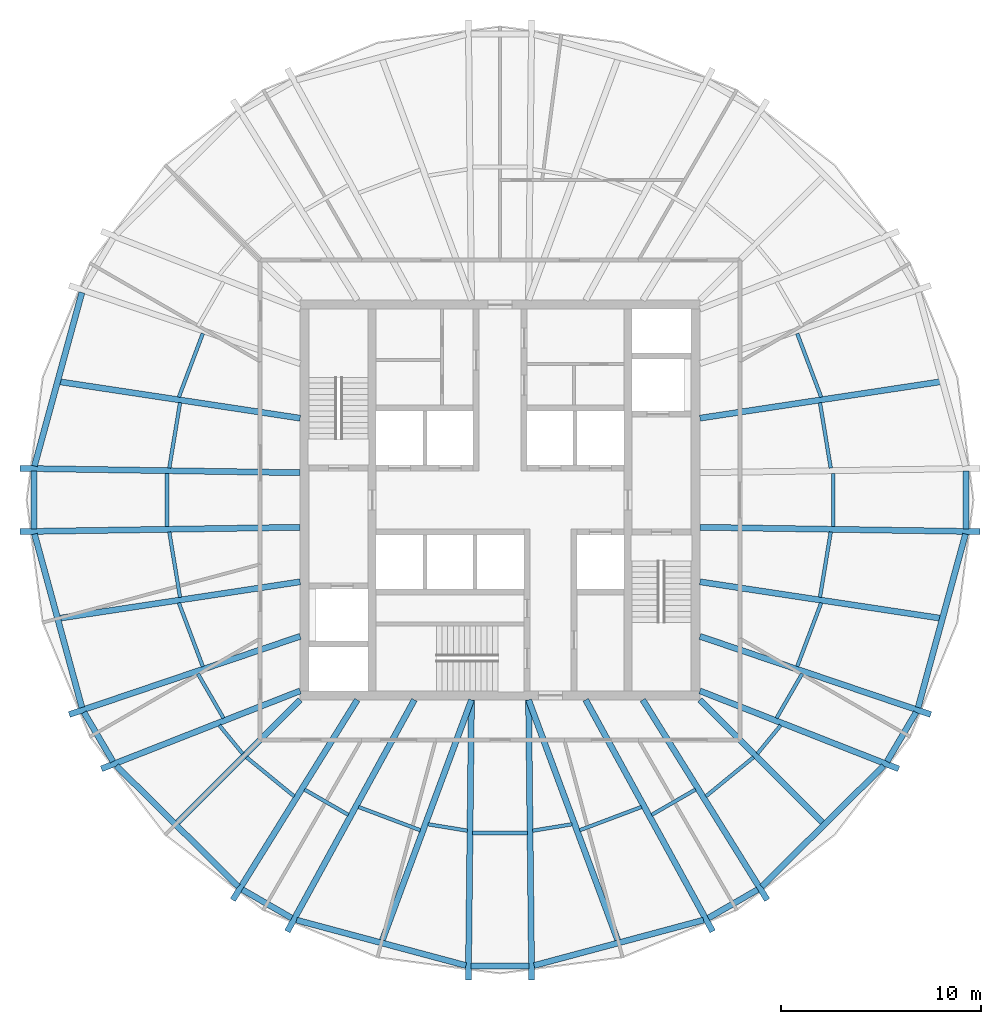
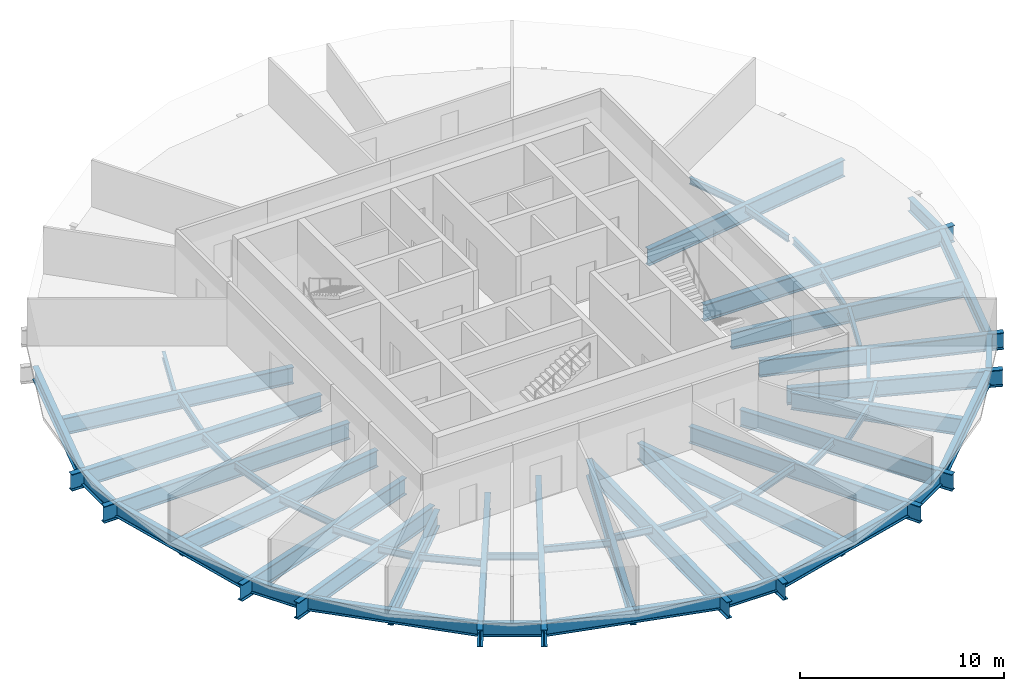
# One storey, part 1 of 6: 58 beams.
"""IFC4 building model written with IfcOpenShell, lengths in metres."""

from ifc_helpers import new_model, si_unit, direction, frame, origin, origin_2d, place, context, subcontext, project, spatial, i_section, extrude, material, material_profile, profile_set, type_object, element, save


model = new_model("IFC4")

# Units and contexts
model_context = context("Model", 3, precision=1e-05, world=origin(), true_north=direction((0.0, 1.0)))
body_context = subcontext(model_context, "Body", "Model", "MODEL_VIEW")
ifc_project = project(units=[si_unit("LENGTHUNIT", "METRE"), si_unit("AREAUNIT", "SQUARE_METRE"), si_unit("VOLUMEUNIT", "CUBIC_METRE"), si_unit("PLANEANGLEUNIT", "RADIAN"), si_unit("MASSUNIT", "GRAM", prefix="KILO")], contexts=[model_context])

# Site, building, storey
site_placement = place(None, origin())
site = spatial("IfcSite", under=ifc_project, at=site_placement, CompositionType="ELEMENT")
building_placement = place(site_placement, origin())
building = spatial("IfcBuilding", under=site, at=building_placement, Name="Golbaran Civic Tower", CompositionType="ELEMENT")
storey_placement = place(building_placement, frame((0.0, 0.0, 187.0)))
storey = spatial("IfcBuildingStorey", under=building, at=storey_placement, Name="L45", CompositionType="ELEMENT", Elevation=187.0)

# Beams
ifc_material = material(Name="Steel S355", Category="steel")
ifc_material_profile_1 = material_profile(ifc_material, i_section(OverallWidth=0.300048828125, OverallDepth=0.800048828125, WebThickness=0.017578125, FlangeThickness=0.032958984375, FilletRadius=0.030029296875, at=origin_2d()), Name="HEB 800")
ifc_profile_set_1 = profile_set([ifc_material_profile_1], Name="Steel S355")
beam_type_1 = type_object("IfcBeamType", Name="EDGE BEAM HEB 800", PredefinedType="BEAM", material=ifc_profile_set_1)
beam_1_placement = place(storey_placement, frame((-20.919189453125, 10.3798828125, -0.60009765625), z_axis=(-0.263503112091, -0.964658545766, 0.0), x_axis=(0.964658545766, -0.263503112091, 0.0)))
element("IfcBeam", 1, at=beam_1_placement, inside=storey, type_object=beam_type_1, Name="Edge beam 153.70 L45", PredefinedType="BEAM", context=body_context, shape_type="SweptSolid", body=[
    extrude(i_section(OverallWidth=0.300048828125, OverallDepth=0.800048828125, WebThickness=0.017578125, FlangeThickness=0.032958984375, FilletRadius=0.030029296875, at=origin_2d()), origin(), (0.0, 0.0, 1.0), 8.997314453125),
])
beam_2_placement = place(storey_placement, frame((-23.325439453125, 1.44091796875, -0.60009765625), z_axis=(0.0, -1.0, 0.0), x_axis=(1.0, 0.0, 0.0)))
element("IfcBeam", 2, at=beam_2_placement, inside=storey, type_object=beam_type_1, Name="Edge beam 176.30 L45", PredefinedType="BEAM", context=body_context, shape_type="SweptSolid", body=[
    extrude(i_section(OverallWidth=0.300048828125, OverallDepth=0.800048828125, WebThickness=0.017578125, FlangeThickness=0.032958984375, FilletRadius=0.030029296875, at=origin_2d()), origin(), (0.0, 0.0, 1.0), 2.8818359375),
])
beam_3_placement = place(storey_placement, frame((-23.2900390625, -1.700439453125, -0.60009765625), z_axis=(0.263503112091, -0.964658545766, 0.0), x_axis=(0.964658545766, 0.263503112091, 0.0)))
element("IfcBeam", 3, at=beam_3_placement, inside=storey, type_object=beam_type_1, Name="Edge beam 183.70 L45", PredefinedType="BEAM", context=body_context, shape_type="SweptSolid", body=[
    extrude(i_section(OverallWidth=0.300048828125, OverallDepth=0.800048828125, WebThickness=0.017578125, FlangeThickness=0.032958984375, FilletRadius=0.030029296875, at=origin_2d()), origin(), (0.0, 0.0, 1.0), 8.997314453125),
])
beam_4_placement = place(storey_placement, frame((-20.8173828125, -10.619873046875, -0.60009765625), z_axis=(0.508067824536, -0.861317064542, 0.0), x_axis=(0.861317064542, 0.508067824536, 0.0)))
element("IfcBeam", 4, at=beam_4_placement, inside=storey, type_object=beam_type_1, Name="Edge beam 206.30 L45", PredefinedType="BEAM", context=body_context, shape_type="SweptSolid", body=[
    extrude(i_section(OverallWidth=0.300048828125, OverallDepth=0.800048828125, WebThickness=0.017578125, FlangeThickness=0.032958984375, FilletRadius=0.030029296875, at=origin_2d()), origin(), (0.0, 0.0, 1.0), 2.860595703125),
])
beam_5_placement = place(storey_placement, frame((-19.196044921875, -13.297119140625, -0.60009765625), z_axis=(0.710598602397, -0.703597630945, 0.0), x_axis=(0.703597630945, 0.710598602397, 0.0)))
element("IfcBeam", 5, at=beam_5_placement, inside=storey, type_object=beam_type_1, Name="Edge beam 213.70 L45", PredefinedType="BEAM", context=body_context, shape_type="SweptSolid", body=[
    extrude(i_section(OverallWidth=0.300048828125, OverallDepth=0.800048828125, WebThickness=0.017578125, FlangeThickness=0.032958984375, FilletRadius=0.030029296875, at=origin_2d()), origin(), (0.0, 0.0, 1.0), 8.57861328125),
])
beam_6_placement = place(storey_placement, frame((-12.892822265625, -19.491943359375, -0.60009765625), z_axis=(0.866187010848, -0.49971998383, 0.0), x_axis=(0.49971998383, 0.866187010848, 0.0)))
element("IfcBeam", 6, at=beam_6_placement, inside=storey, type_object=beam_type_1, Name="Edge beam 236.30 L45", PredefinedType="BEAM", context=body_context, shape_type="SweptSolid", body=[
    extrude(i_section(OverallWidth=0.300048828125, OverallDepth=0.800048828125, WebThickness=0.017578125, FlangeThickness=0.032958984375, FilletRadius=0.030029296875, at=origin_2d()), origin(), (0.0, 0.0, 1.0), 2.852783203125),
])
beam_7_placement = place(storey_placement, frame((-10.18017578125, -21.01708984375, -0.60009765625), z_axis=(0.965852858325, -0.259091211866, 0.0), x_axis=(0.259091211866, 0.965852858325, 0.0)))
element("IfcBeam", 7, at=beam_7_placement, inside=storey, type_object=beam_type_1, Name="Edge beam 243.70 L45", PredefinedType="BEAM", context=body_context, shape_type="SweptSolid", body=[
    extrude(i_section(OverallWidth=0.300048828125, OverallDepth=0.800048828125, WebThickness=0.017578125, FlangeThickness=0.032958984375, FilletRadius=0.030029296875, at=origin_2d()), origin(), (0.0, 0.0, 1.0), 8.773681640625),
])
beam_8_placement = place(storey_placement, frame((-1.446533203125, -23.324951171875, -0.60009765625), z_axis=(1.0, 0.0, 0.0), x_axis=(0.0, 1.0, 0.0)))
element("IfcBeam", 8, at=beam_8_placement, inside=storey, type_object=beam_type_1, Name="Edge beam 266.30 L45", PredefinedType="BEAM", context=body_context, shape_type="SweptSolid", body=[
    extrude(i_section(OverallWidth=0.300048828125, OverallDepth=0.800048828125, WebThickness=0.017578125, FlangeThickness=0.032958984375, FilletRadius=0.030029296875, at=origin_2d()), origin(), (0.0, 0.0, 1.0), 2.89306640625),
])
beam_9_placement = place(storey_placement, frame((1.7060546875, -23.290283203125, -0.60009765625), z_axis=(0.965852858325, 0.259091211866, 0.0), x_axis=(-0.259091211866, 0.965852858325, 0.0)))
element("IfcBeam", 9, at=beam_9_placement, inside=storey, type_object=beam_type_1, Name="Edge beam 273.70 L45", PredefinedType="BEAM", context=body_context, shape_type="SweptSolid", body=[
    extrude(i_section(OverallWidth=0.300048828125, OverallDepth=0.800048828125, WebThickness=0.017578125, FlangeThickness=0.032958984375, FilletRadius=0.030029296875, at=origin_2d()), origin(), (0.0, 0.0, 1.0), 8.773681640625),
])
beam_10_placement = place(storey_placement, frame((10.421875, -20.91748046875, -0.60009765625), z_axis=(0.866187010848, 0.49971998383, 0.0), x_axis=(-0.49971998383, 0.866187010848, 0.0)))
element("IfcBeam", 10, at=beam_10_placement, inside=storey, type_object=beam_type_1, Name="Edge beam 296.30 L45", PredefinedType="BEAM", context=body_context, shape_type="SweptSolid", body=[
    extrude(i_section(OverallWidth=0.300048828125, OverallDepth=0.800048828125, WebThickness=0.017578125, FlangeThickness=0.032958984375, FilletRadius=0.030029296875, at=origin_2d()), origin(), (0.0, 0.0, 1.0), 2.852783203125),
])
beam_11_placement = place(storey_placement, frame((13.10009765625, -19.3330078125, -0.60009765625), z_axis=(0.710598602397, 0.703597630945, 0.0), x_axis=(-0.703597630945, 0.710598602397, 0.0)))
element("IfcBeam", 11, at=beam_11_placement, inside=storey, type_object=beam_type_1, Name="Edge beam 303.70 L45", PredefinedType="BEAM", context=body_context, shape_type="SweptSolid", body=[
    extrude(i_section(OverallWidth=0.300048828125, OverallDepth=0.800048828125, WebThickness=0.017578125, FlangeThickness=0.032958984375, FilletRadius=0.030029296875, at=origin_2d()), origin(), (0.0, 0.0, 1.0), 8.57861328125),
])
beam_12_placement = place(storey_placement, frame((19.364013671875, -13.083740234375, -0.60009765625), z_axis=(0.508067824536, 0.861317064542, 0.0), x_axis=(-0.861317064542, 0.508067824536, 0.0)))
element("IfcBeam", 12, at=beam_12_placement, inside=storey, type_object=beam_type_1, Name="Edge beam 326.30 L45", PredefinedType="BEAM", context=body_context, shape_type="SweptSolid", body=[
    extrude(i_section(OverallWidth=0.300048828125, OverallDepth=0.800048828125, WebThickness=0.017578125, FlangeThickness=0.032958984375, FilletRadius=0.030029296875, at=origin_2d()), origin(), (0.0, 0.0, 1.0), 2.860595703125),
])
beam_13_placement = place(storey_placement, frame((20.919189453125, -10.3798828125, -0.60009765625), z_axis=(0.263503112091, 0.964658545766, 0.0), x_axis=(-0.964658545766, 0.263503112091, 0.0)))
element("IfcBeam", 13, at=beam_13_placement, inside=storey, type_object=beam_type_1, Name="Edge beam 333.70 L45", PredefinedType="BEAM", context=body_context, shape_type="SweptSolid", body=[
    extrude(i_section(OverallWidth=0.300048828125, OverallDepth=0.800048828125, WebThickness=0.017578125, FlangeThickness=0.032958984375, FilletRadius=0.030029296875, at=origin_2d()), origin(), (0.0, 0.0, 1.0), 8.997314453125),
])
beam_14_placement = place(storey_placement, frame((23.325439453125, -1.44091796875, -0.60009765625), z_axis=(0.0, 1.0, 0.0), x_axis=(-1.0, 0.0, 0.0)))
element("IfcBeam", 14, at=beam_14_placement, inside=storey, type_object=beam_type_1, Name="Edge beam 356.30 L45", PredefinedType="BEAM", context=body_context, shape_type="SweptSolid", body=[
    extrude(i_section(OverallWidth=0.300048828125, OverallDepth=0.800048828125, WebThickness=0.017578125, FlangeThickness=0.032958984375, FilletRadius=0.030029296875, at=origin_2d()), origin(), (0.0, 0.0, 1.0), 2.8818359375),
])
ifc_material_profile_2 = material_profile(ifc_material, i_section(OverallWidth=0.179931640625, OverallDepth=0.39990234375, WebThickness=0.008544921875, FlangeThickness=0.013427734375, FilletRadius=0.02099609375, at=origin_2d()), Name="IPE 400")
ifc_profile_set_2 = profile_set([ifc_material_profile_2], Name="Steel S355")
beam_type_2 = type_object("IfcBeamType", Name="FLOOR INFILL BEAM IPE 400", PredefinedType="BEAM", material=ifc_profile_set_2)
beam_15_placement = place(storey_placement, frame((16.547119140625, 1.595947265625, -0.39990234375), z_axis=(-0.162538162634, 0.986702257871, 0.0), x_axis=(-0.986702257871, -0.162538162634, 0.0)))
element("IfcBeam", 15, at=beam_15_placement, inside=storey, type_object=beam_type_2, Name="Infill beam 9.35 L45", PredefinedType="BEAM", context=body_context, shape_type="SweptSolid", body=[
    extrude(i_section(OverallWidth=0.179931640625, OverallDepth=0.39990234375, WebThickness=0.008544921875, FlangeThickness=0.013427734375, FilletRadius=0.02099609375, at=origin_2d()), origin(), (0.0, 0.0, 1.0), 3.319580078125),
])
for number, where, z_axis, x_axis, name in (
    (16, (16.069580078125, 5.143798828125, -0.39990234375), (-0.352622874883, 0.935765519833, 0.0), (-0.935765519833, -0.352622874883, 0.0), "Infill beam 20.65 L45"),
    (17, (-14.8681640625, 8.33203125, -0.39990234375), (-0.352622874883, -0.935765519833, 0.0), (0.935765519833, -0.352622874883, 0.0), "Infill beam 159.35 L45"),
):
    element("IfcBeam", number, at=place(storey_placement, frame(where, z_axis=z_axis, x_axis=x_axis)), inside=storey, type_object=beam_type_2, Name=name, PredefinedType="BEAM", context=body_context, shape_type="SweptSolid", body=[
        extrude(i_section(OverallWidth=0.179931640625, OverallDepth=0.39990234375, WebThickness=0.008544921875, FlangeThickness=0.013427734375, FilletRadius=0.02099609375, at=origin_2d()), origin(), (0.0, 0.0, 1.0), 3.406982421875),
    ])
beam_16_placement = place(storey_placement, frame((-16.007568359375, 4.871337890625, -0.39990234375), z_axis=(-0.162538162634, -0.986702257871, 0.0), x_axis=(0.986702257871, -0.162538162634, 0.0)))
element("IfcBeam", 18, at=beam_16_placement, inside=storey, type_object=beam_type_2, Name="Infill beam 170.65 L45", PredefinedType="BEAM", context=body_context, shape_type="SweptSolid", body=[
    extrude(i_section(OverallWidth=0.179931640625, OverallDepth=0.39990234375, WebThickness=0.008544921875, FlangeThickness=0.013427734375, FilletRadius=0.02099609375, at=origin_2d()), origin(), (0.0, 0.0, 1.0), 3.319580078125),
])
beam_17_placement = place(storey_placement, frame((-16.662841796875, 1.337646484375, -0.39990234375), z_axis=(0.0, -1.0, 0.0), x_axis=(1.0, 0.0, 0.0)))
element("IfcBeam", 19, at=beam_17_placement, inside=storey, type_object=beam_type_2, Name="Infill beam 180.00 L45", PredefinedType="BEAM", context=body_context, shape_type="SweptSolid", body=[
    extrude(i_section(OverallWidth=0.179931640625, OverallDepth=0.39990234375, WebThickness=0.008544921875, FlangeThickness=0.013427734375, FilletRadius=0.02099609375, at=origin_2d()), origin(), (0.0, 0.0, 1.0), 2.67529296875),
])
beam_18_placement = place(storey_placement, frame((-16.547119140625, -1.595947265625, -0.39990234375), z_axis=(0.162538162634, -0.986702257871, 0.0), x_axis=(0.986702257871, 0.162538162634, 0.0)))
element("IfcBeam", 20, at=beam_18_placement, inside=storey, type_object=beam_type_2, Name="Infill beam 189.35 L45", PredefinedType="BEAM", context=body_context, shape_type="SweptSolid", body=[
    extrude(i_section(OverallWidth=0.179931640625, OverallDepth=0.39990234375, WebThickness=0.008544921875, FlangeThickness=0.013427734375, FilletRadius=0.02099609375, at=origin_2d()), origin(), (0.0, 0.0, 1.0), 3.319580078125),
])
beam_19_placement = place(storey_placement, frame((-16.069580078125, -5.143798828125, -0.39990234375), z_axis=(0.352622874883, -0.935765519833, 0.0), x_axis=(0.935765519833, 0.352622874883, 0.0)))
element("IfcBeam", 21, at=beam_19_placement, inside=storey, type_object=beam_type_2, Name="Infill beam 200.65 L45", PredefinedType="BEAM", context=body_context, shape_type="SweptSolid", body=[
    extrude(i_section(OverallWidth=0.179931640625, OverallDepth=0.39990234375, WebThickness=0.008544921875, FlangeThickness=0.013427734375, FilletRadius=0.02099609375, at=origin_2d()), origin(), (0.0, 0.0, 1.0), 3.406982421875),
])
beam_20_placement = place(storey_placement, frame((-15.116943359375, -8.690673828125, -0.39990234375), z_axis=(0.50000507078, -0.866022476149, 0.0), x_axis=(0.866022476149, 0.50000507078, 0.0)))
element("IfcBeam", 22, at=beam_20_placement, inside=storey, type_object=beam_type_2, Name="Infill beam 210.00 L45", PredefinedType="BEAM", context=body_context, shape_type="SweptSolid", body=[
    extrude(i_section(OverallWidth=0.179931640625, OverallDepth=0.39990234375, WebThickness=0.008544921875, FlangeThickness=0.013427734375, FilletRadius=0.02099609375, at=origin_2d()), origin(), (0.0, 0.0, 1.0), 2.5673828125),
])
beam_21_placement = place(storey_placement, frame((-14.039794921875, -11.2744140625, -0.39990234375), z_axis=(0.634063671449, -0.773280841964, 0.0), x_axis=(0.773280841964, 0.634063671449, 0.0)))
element("IfcBeam", 23, at=beam_21_placement, inside=storey, type_object=beam_type_2, Name="Infill beam 219.35 L45", PredefinedType="BEAM", context=body_context, shape_type="SweptSolid", body=[
    extrude(i_section(OverallWidth=0.179931640625, OverallDepth=0.39990234375, WebThickness=0.008544921875, FlangeThickness=0.013427734375, FilletRadius=0.02099609375, at=origin_2d()), origin(), (0.0, 0.0, 1.0), 1.834228515625),
])
beam_22_placement = place(storey_placement, frame((-12.684814453125, -12.86865234375, -0.39990234375), z_axis=(0.773259260858, -0.634089990062, 0.0), x_axis=(0.634089990062, 0.773259260858, 0.0)))
element("IfcBeam", 24, at=beam_22_placement, inside=storey, type_object=beam_type_2, Name="Infill beam 230.65 L45", PredefinedType="BEAM", context=body_context, shape_type="SweptSolid", body=[
    extrude(i_section(OverallWidth=0.179931640625, OverallDepth=0.39990234375, WebThickness=0.008544921875, FlangeThickness=0.013427734375, FilletRadius=0.02099609375, at=origin_2d()), origin(), (0.0, 0.0, 1.0), 3.08740234375),
])
beam_23_placement = place(storey_placement, frame((-9.780517578125, -14.4873046875, -0.39990234375), z_axis=(0.865995992199, -0.5000509389, 0.0), x_axis=(0.5000509389, 0.865995992199, 0.0)))
element("IfcBeam", 25, at=beam_23_placement, inside=storey, type_object=beam_type_2, Name="Infill beam 240.00 L45", PredefinedType="BEAM", context=body_context, shape_type="SweptSolid", body=[
    extrude(i_section(OverallWidth=0.179931640625, OverallDepth=0.39990234375, WebThickness=0.008544921875, FlangeThickness=0.013427734375, FilletRadius=0.02099609375, at=origin_2d()), origin(), (0.0, 0.0, 1.0), 2.530517578125),
])
beam_24_placement = place(storey_placement, frame((-7.076416015625, -15.358642578125, -0.39990234375), z_axis=(0.935778084357, -0.352589530244, 0.0), x_axis=(0.352589530244, 0.935778084357, 0.0)))
element("IfcBeam", 26, at=beam_24_placement, inside=storey, type_object=beam_type_2, Name="Infill beam 249.35 L45", PredefinedType="BEAM", context=body_context, shape_type="SweptSolid", body=[
    extrude(i_section(OverallWidth=0.179931640625, OverallDepth=0.39990234375, WebThickness=0.008544921875, FlangeThickness=0.013427734375, FilletRadius=0.02099609375, at=origin_2d()), origin(), (0.0, 0.0, 1.0), 3.30224609375),
])
beam_25_placement = place(storey_placement, frame((-3.597900390625, -16.22314453125, -0.39990234375), z_axis=(0.986719727793, -0.16243207437, 0.0), x_axis=(0.16243207437, 0.986719727793, 0.0)))
element("IfcBeam", 27, at=beam_25_placement, inside=storey, type_object=beam_type_2, Name="Infill beam 260.65 L45", PredefinedType="BEAM", context=body_context, shape_type="SweptSolid", body=[
    extrude(i_section(OverallWidth=0.179931640625, OverallDepth=0.39990234375, WebThickness=0.008544921875, FlangeThickness=0.013427734375, FilletRadius=0.02099609375, at=origin_2d()), origin(), (0.0, 0.0, 1.0), 1.992919921875),
])
beam_26_placement = place(storey_placement, frame((-1.37255859375, -16.66259765625, -0.39990234375), z_axis=(1.0, 0.0, 0.0), x_axis=(0.0, 1.0, 0.0)))
element("IfcBeam", 28, at=beam_26_placement, inside=storey, type_object=beam_type_2, Name="Infill beam 270.00 L45", PredefinedType="BEAM", context=body_context, shape_type="SweptSolid", body=[
    extrude(i_section(OverallWidth=0.179931640625, OverallDepth=0.39990234375, WebThickness=0.008544921875, FlangeThickness=0.013427734375, FilletRadius=0.02099609375, at=origin_2d()), origin(), (0.0, 0.0, 1.0), 2.7451171875),
])
beam_27_placement = place(storey_placement, frame((1.63134765625, -16.546875, -0.39990234375), z_axis=(0.986719727793, 0.16243207437, 0.0), x_axis=(-0.16243207437, 0.986719727793, 0.0)))
element("IfcBeam", 29, at=beam_27_placement, inside=storey, type_object=beam_type_2, Name="Infill beam 279.35 L45", PredefinedType="BEAM", context=body_context, shape_type="SweptSolid", body=[
    extrude(i_section(OverallWidth=0.179931640625, OverallDepth=0.39990234375, WebThickness=0.008544921875, FlangeThickness=0.013427734375, FilletRadius=0.02099609375, at=origin_2d()), origin(), (0.0, 0.0, 1.0), 1.992919921875),
])
beam_28_placement = place(storey_placement, frame((3.986328125, -16.52294921875, -0.39990234375), z_axis=(0.935778084357, 0.352589530244, 0.0), x_axis=(-0.352589530244, 0.935778084357, 0.0)))
element("IfcBeam", 30, at=beam_28_placement, inside=storey, type_object=beam_type_2, Name="Infill beam 290.65 L45", PredefinedType="BEAM", context=body_context, shape_type="SweptSolid", body=[
    extrude(i_section(OverallWidth=0.179931640625, OverallDepth=0.39990234375, WebThickness=0.008544921875, FlangeThickness=0.013427734375, FilletRadius=0.02099609375, at=origin_2d()), origin(), (0.0, 0.0, 1.0), 3.30224609375),
])
beam_29_placement = place(storey_placement, frame((7.589111328125, -15.752685546875, -0.39990234375), z_axis=(0.865995992199, 0.5000509389, 0.0), x_axis=(-0.5000509389, 0.865995992199, 0.0)))
element("IfcBeam", 31, at=beam_29_placement, inside=storey, type_object=beam_type_2, Name="Infill beam 300.00 L45", PredefinedType="BEAM", context=body_context, shape_type="SweptSolid", body=[
    extrude(i_section(OverallWidth=0.179931640625, OverallDepth=0.39990234375, WebThickness=0.008544921875, FlangeThickness=0.013427734375, FilletRadius=0.02099609375, at=origin_2d()), origin(), (0.0, 0.0, 1.0), 2.530517578125),
])
beam_30_placement = place(storey_placement, frame((10.29736328125, -14.826416015625, -0.39990234375), z_axis=(0.773259260858, 0.634089990062, 0.0), x_axis=(-0.634089990062, 0.773259260858, 0.0)))
element("IfcBeam", 32, at=beam_30_placement, inside=storey, type_object=beam_type_2, Name="Infill beam 309.35 L45", PredefinedType="BEAM", context=body_context, shape_type="SweptSolid", body=[
    extrude(i_section(OverallWidth=0.179931640625, OverallDepth=0.39990234375, WebThickness=0.008544921875, FlangeThickness=0.013427734375, FilletRadius=0.02099609375, at=origin_2d()), origin(), (0.0, 0.0, 1.0), 3.08740234375),
])
beam_31_placement = place(storey_placement, frame((12.876708984375, -12.69287109375, -0.39990234375), z_axis=(0.634063671449, 0.773280841964, 0.0), x_axis=(-0.773280841964, 0.634063671449, 0.0)))
element("IfcBeam", 33, at=beam_31_placement, inside=storey, type_object=beam_type_2, Name="Infill beam 320.65 L45", PredefinedType="BEAM", context=body_context, shape_type="SweptSolid", body=[
    extrude(i_section(OverallWidth=0.179931640625, OverallDepth=0.39990234375, WebThickness=0.008544921875, FlangeThickness=0.013427734375, FilletRadius=0.02099609375, at=origin_2d()), origin(), (0.0, 0.0, 1.0), 1.834228515625),
])
beam_32_placement = place(storey_placement, frame((13.833251953125, -10.9140625, -0.39990234375), z_axis=(0.50000507078, 0.866022476149, 0.0), x_axis=(-0.866022476149, 0.50000507078, 0.0)))
element("IfcBeam", 34, at=beam_32_placement, inside=storey, type_object=beam_type_2, Name="Infill beam 330.00 L45", PredefinedType="BEAM", context=body_context, shape_type="SweptSolid", body=[
    extrude(i_section(OverallWidth=0.179931640625, OverallDepth=0.39990234375, WebThickness=0.008544921875, FlangeThickness=0.013427734375, FilletRadius=0.02099609375, at=origin_2d()), origin(), (0.0, 0.0, 1.0), 2.5673828125),
])
beam_33_placement = place(storey_placement, frame((14.8681640625, -8.33203125, -0.39990234375), z_axis=(0.352622874883, 0.935765519833, 0.0), x_axis=(-0.935765519833, 0.352622874883, 0.0)))
element("IfcBeam", 35, at=beam_33_placement, inside=storey, type_object=beam_type_2, Name="Infill beam 339.35 L45", PredefinedType="BEAM", context=body_context, shape_type="SweptSolid", body=[
    extrude(i_section(OverallWidth=0.179931640625, OverallDepth=0.39990234375, WebThickness=0.008544921875, FlangeThickness=0.013427734375, FilletRadius=0.02099609375, at=origin_2d()), origin(), (0.0, 0.0, 1.0), 3.406982421875),
])
beam_34_placement = place(storey_placement, frame((16.007568359375, -4.871337890625, -0.39990234375), z_axis=(0.162538162634, 0.986702257871, 0.0), x_axis=(-0.986702257871, 0.162538162634, 0.0)))
element("IfcBeam", 36, at=beam_34_placement, inside=storey, type_object=beam_type_2, Name="Infill beam 350.65 L45", PredefinedType="BEAM", context=body_context, shape_type="SweptSolid", body=[
    extrude(i_section(OverallWidth=0.179931640625, OverallDepth=0.39990234375, WebThickness=0.008544921875, FlangeThickness=0.013427734375, FilletRadius=0.02099609375, at=origin_2d()), origin(), (0.0, 0.0, 1.0), 3.319580078125),
])
beam_35_placement = place(storey_placement, frame((16.662841796875, -1.337646484375, -0.39990234375), z_axis=(0.0, 1.0, 0.0), x_axis=(-1.0, 0.0, 0.0)))
element("IfcBeam", 37, at=beam_35_placement, inside=storey, type_object=beam_type_2, Name="Infill beam 0.00 L45", PredefinedType="BEAM", context=body_context, shape_type="SweptSolid", body=[
    extrude(i_section(OverallWidth=0.179931640625, OverallDepth=0.39990234375, WebThickness=0.008544921875, FlangeThickness=0.013427734375, FilletRadius=0.02099609375, at=origin_2d()), origin(), (0.0, 0.0, 1.0), 2.67529296875),
])
ifc_material_profile_3 = material_profile(ifc_material, i_section(OverallWidth=0.300048828125, OverallDepth=1.0, WebThickness=0.01904296875, FlangeThickness=0.035888671875, FilletRadius=0.030029296875, at=origin_2d()), Name="HEB 1000")
ifc_profile_set_3 = profile_set([ifc_material_profile_3], Name="Steel S355")
beam_type_3 = type_object("IfcBeamType", Name="RADIAL FLOOR BEAM HEB 1000", PredefinedType="BEAM", material=ifc_profile_set_3)
for number, where, z_axis, x_axis, name in (
    (38, (-10.0, 1.3642578125, -0.7099609375), (-0.999879545466, 0.01552077831, 0.0), (-0.01552077831, -0.999879545466, 0.0), "Radial beam 176.30 L45"),
    (39, (-10.0, -1.3642578125, -0.7099609375), (-0.999879545466, -0.01552077831, 0.0), (0.01552077831, -0.999879545466, 0.0), "Radial beam 183.70 L45"),
):
    element("IfcBeam", number, at=place(storey_placement, frame(where, z_axis=z_axis, x_axis=x_axis)), inside=storey, type_object=beam_type_3, Name=name, PredefinedType="BEAM", context=body_context, shape_type="SweptSolid", body=[
        extrude(i_section(OverallWidth=0.300048828125, OverallDepth=1.0, WebThickness=0.01904296875, FlangeThickness=0.035888671875, FilletRadius=0.030029296875, at=origin_2d()), origin(), (0.0, 0.0, 1.0), 14.015380859375),
    ])
beam_36_placement = place(storey_placement, frame((-10.0, -6.821533203125, -0.7099609375), z_axis=(-0.947219990902, -0.32058429287, 0.0), x_axis=(0.32058429287, -0.947219990902, 0.0)))
element("IfcBeam", 40, at=beam_36_placement, inside=storey, type_object=beam_type_3, Name="Radial beam 206.30 L45", PredefinedType="BEAM", context=body_context, shape_type="SweptSolid", body=[
    extrude(i_section(OverallWidth=0.300048828125, OverallDepth=1.0, WebThickness=0.01904296875, FlangeThickness=0.035888671875, FilletRadius=0.030029296875, at=origin_2d()), origin(), (0.0, 0.0, 1.0), 12.1962890625),
])
beam_37_placement = place(storey_placement, frame((-10.0, -9.550048828125, -0.7099609375), z_axis=(-0.930935568515, -0.365183470701, 0.0), x_axis=(0.365183470701, -0.930935568515, 0.0)))
element("IfcBeam", 41, at=beam_37_placement, inside=storey, type_object=beam_type_3, Name="Radial beam 213.70 L45", PredefinedType="BEAM", context=body_context, shape_type="SweptSolid", body=[
    extrude(i_section(OverallWidth=0.300048828125, OverallDepth=1.0, WebThickness=0.01904296875, FlangeThickness=0.035888671875, FilletRadius=0.030029296875, at=origin_2d()), origin(), (0.0, 0.0, 1.0), 10.681396484375),
])
beam_38_placement = place(storey_placement, frame((-7.142822265625, -10.0, -0.7099609375), z_axis=(-0.52810648102, -0.8491781584, 0.0), x_axis=(0.8491781584, -0.52810648102, 0.0)))
element("IfcBeam", 42, at=beam_38_placement, inside=storey, type_object=beam_type_3, Name="Radial beam 236.30 L45", PredefinedType="BEAM", context=body_context, shape_type="SweptSolid", body=[
    extrude(i_section(OverallWidth=0.300048828125, OverallDepth=1.0, WebThickness=0.01904296875, FlangeThickness=0.035888671875, FilletRadius=0.030029296875, at=origin_2d()), origin(), (0.0, 0.0, 1.0), 11.789794921875),
])
beam_39_placement = place(storey_placement, frame((-4.28564453125, -10.0, -0.7099609375), z_axis=(-0.480899964236, -0.876775469774, 0.0), x_axis=(0.876775469774, -0.480899964236, 0.0)))
element("IfcBeam", 43, at=beam_39_placement, inside=storey, type_object=beam_type_3, Name="Radial beam 243.70 L45", PredefinedType="BEAM", context=body_context, shape_type="SweptSolid", body=[
    extrude(i_section(OverallWidth=0.300048828125, OverallDepth=1.0, WebThickness=0.01904296875, FlangeThickness=0.035888671875, FilletRadius=0.030029296875, at=origin_2d()), origin(), (0.0, 0.0, 1.0), 13.21435546875),
])
for number, where, z_axis, x_axis, name in (
    (44, (-1.428466796875, -10.0, -0.7099609375), (-0.011114683277, -0.99993823, 0.0), (0.99993823, -0.011114683277, 0.0), "Radial beam 266.30 L45"),
    (45, (1.428466796875, -10.0, -0.7099609375), (0.011114683277, -0.99993823, 0.0), (0.99993823, 0.011114683277, 0.0), "Radial beam 273.70 L45"),
):
    element("IfcBeam", number, at=place(storey_placement, frame(where, z_axis=z_axis, x_axis=x_axis)), inside=storey, type_object=beam_type_3, Name=name, PredefinedType="BEAM", context=body_context, shape_type="SweptSolid", body=[
        extrude(i_section(OverallWidth=0.300048828125, OverallDepth=1.0, WebThickness=0.01904296875, FlangeThickness=0.035888671875, FilletRadius=0.030029296875, at=origin_2d()), origin(), (0.0, 0.0, 1.0), 14.01416015625),
    ])
beam_40_placement = place(storey_placement, frame((4.28564453125, -10.0, -0.7099609375), z_axis=(0.480899964236, -0.876775469774, 0.0), x_axis=(0.876775469774, 0.480899964236, 0.0)))
element("IfcBeam", 46, at=beam_40_placement, inside=storey, type_object=beam_type_3, Name="Radial beam 296.30 L45", PredefinedType="BEAM", context=body_context, shape_type="SweptSolid", body=[
    extrude(i_section(OverallWidth=0.300048828125, OverallDepth=1.0, WebThickness=0.01904296875, FlangeThickness=0.035888671875, FilletRadius=0.030029296875, at=origin_2d()), origin(), (0.0, 0.0, 1.0), 13.21435546875),
])
beam_41_placement = place(storey_placement, frame((7.142822265625, -10.0, -0.7099609375), z_axis=(0.52810648102, -0.8491781584, 0.0), x_axis=(0.8491781584, 0.52810648102, 0.0)))
element("IfcBeam", 47, at=beam_41_placement, inside=storey, type_object=beam_type_3, Name="Radial beam 303.70 L45", PredefinedType="BEAM", context=body_context, shape_type="SweptSolid", body=[
    extrude(i_section(OverallWidth=0.300048828125, OverallDepth=1.0, WebThickness=0.01904296875, FlangeThickness=0.035888671875, FilletRadius=0.030029296875, at=origin_2d()), origin(), (0.0, 0.0, 1.0), 11.789794921875),
])
beam_42_placement = place(storey_placement, frame((10.0, -9.550048828125, -0.7099609375), z_axis=(0.930935568515, -0.365183470701, 0.0), x_axis=(0.365183470701, 0.930935568515, 0.0)))
element("IfcBeam", 48, at=beam_42_placement, inside=storey, type_object=beam_type_3, Name="Radial beam 326.30 L45", PredefinedType="BEAM", context=body_context, shape_type="SweptSolid", body=[
    extrude(i_section(OverallWidth=0.300048828125, OverallDepth=1.0, WebThickness=0.01904296875, FlangeThickness=0.035888671875, FilletRadius=0.030029296875, at=origin_2d()), origin(), (0.0, 0.0, 1.0), 10.681396484375),
])
beam_43_placement = place(storey_placement, frame((10.0, -6.821533203125, -0.7099609375), z_axis=(0.947219990902, -0.32058429287, 0.0), x_axis=(0.32058429287, 0.947219990902, 0.0)))
element("IfcBeam", 49, at=beam_43_placement, inside=storey, type_object=beam_type_3, Name="Radial beam 333.70 L45", PredefinedType="BEAM", context=body_context, shape_type="SweptSolid", body=[
    extrude(i_section(OverallWidth=0.300048828125, OverallDepth=1.0, WebThickness=0.01904296875, FlangeThickness=0.035888671875, FilletRadius=0.030029296875, at=origin_2d()), origin(), (0.0, 0.0, 1.0), 12.1962890625),
])
beam_44_placement = place(storey_placement, frame((10.0, -1.3642578125, -0.7099609375), z_axis=(0.999879545466, -0.01552077831, 0.0), x_axis=(0.01552077831, 0.999879545466, 0.0)))
element("IfcBeam", 50, at=beam_44_placement, inside=storey, type_object=beam_type_3, Name="Radial beam 356.30 L45", PredefinedType="BEAM", context=body_context, shape_type="SweptSolid", body=[
    extrude(i_section(OverallWidth=0.300048828125, OverallDepth=1.0, WebThickness=0.01904296875, FlangeThickness=0.035888671875, FilletRadius=0.030029296875, at=origin_2d()), origin(), (0.0, 0.0, 1.0), 14.015380859375),
])
ifc_material_profile_4 = material_profile(ifc_material, i_section(OverallWidth=0.300048828125, OverallDepth=1.0, WebThickness=0.01904296875, FlangeThickness=0.035888671875, FilletRadius=0.030029296875, at=origin_2d()), Name="HEB 1000")
ifc_profile_set_4 = profile_set([ifc_material_profile_4], Name="Steel S355")
beam_type_4 = type_object("IfcBeamType", Name="SECONDARY FLOOR BEAM HEB 1000", PredefinedType="BEAM", material=ifc_profile_set_4)
for number, where, z_axis, x_axis, name in (
    (51, (10.0, 4.0927734375, -0.7099609375), (0.988720682132, 0.149771201251, 0.0), (-0.149771201251, 0.988720682132, 0.0), "Secondary beam 15.00 L45"),
    (52, (-10.0, 4.0927734375, -0.7099609375), (-0.988720682132, 0.149771201251, 0.0), (-0.149771201251, -0.988720682132, 0.0), "Secondary beam 165.00 L45"),
    (53, (-10.0, -4.0927734375, -0.7099609375), (-0.988720682132, -0.149771201251, 0.0), (0.149771201251, -0.988720682132, 0.0), "Secondary beam 195.00 L45"),
):
    element("IfcBeam", number, at=place(storey_placement, frame(where, z_axis=z_axis, x_axis=x_axis)), inside=storey, type_object=beam_type_4, Name=name, PredefinedType="BEAM", context=body_context, shape_type="SweptSolid", body=[
        extrude(i_section(OverallWidth=0.300048828125, OverallDepth=1.0, WebThickness=0.01904296875, FlangeThickness=0.035888671875, FilletRadius=0.030029296875, at=origin_2d()), origin(), (0.0, 0.0, 1.0), 12.27294921875),
    ])
beam_45_placement = place(storey_placement, frame((-10.0, -10.0, -0.7099609375), z_axis=(-0.707106781187, -0.707106781187, 0.0), x_axis=(0.707106781187, -0.707106781187, 0.0)))
element("IfcBeam", 54, at=beam_45_placement, inside=storey, type_object=beam_type_4, Name="Secondary beam 225.00 L45", PredefinedType="BEAM", context=body_context, shape_type="SweptSolid", body=[
    extrude(i_section(OverallWidth=0.300048828125, OverallDepth=1.0, WebThickness=0.01904296875, FlangeThickness=0.035888671875, FilletRadius=0.030029296875, at=origin_2d()), origin(), (0.0, 0.0, 1.0), 8.813232421875),
])
for number, where, z_axis, x_axis, name in (
    (55, (-1.428466796875, -10.0, -0.7099609375), (-0.347722185652, -0.937597611775, 0.0), (0.937597611775, -0.347722185652, 0.0), "Secondary beam 255.00 L45"),
    (56, (1.428466796875, -10.0, -0.7099609375), (0.347722185652, -0.937597611775, 0.0), (0.937597611775, 0.347722185652, 0.0), "Secondary beam 285.00 L45"),
):
    element("IfcBeam", number, at=place(storey_placement, frame(where, z_axis=z_axis, x_axis=x_axis)), inside=storey, type_object=beam_type_4, Name=name, PredefinedType="BEAM", context=body_context, shape_type="SweptSolid", body=[
        extrude(i_section(OverallWidth=0.300048828125, OverallDepth=1.0, WebThickness=0.01904296875, FlangeThickness=0.035888671875, FilletRadius=0.030029296875, at=origin_2d()), origin(), (0.0, 0.0, 1.0), 12.964599609375),
    ])
beam_46_placement = place(storey_placement, frame((10.0, -10.0, -0.7099609375), z_axis=(0.707106781187, -0.707106781187, 0.0), x_axis=(0.707106781187, 0.707106781187, 0.0)))
element("IfcBeam", 57, at=beam_46_placement, inside=storey, type_object=beam_type_4, Name="Secondary beam 315.00 L45", PredefinedType="BEAM", context=body_context, shape_type="SweptSolid", body=[
    extrude(i_section(OverallWidth=0.300048828125, OverallDepth=1.0, WebThickness=0.01904296875, FlangeThickness=0.035888671875, FilletRadius=0.030029296875, at=origin_2d()), origin(), (0.0, 0.0, 1.0), 8.813232421875),
])
beam_47_placement = place(storey_placement, frame((10.0, -4.0927734375, -0.7099609375), z_axis=(0.988720682132, -0.149771201251, 0.0), x_axis=(0.149771201251, 0.988720682132, 0.0)))
element("IfcBeam", 58, at=beam_47_placement, inside=storey, type_object=beam_type_4, Name="Secondary beam 345.00 L45", PredefinedType="BEAM", context=body_context, shape_type="SweptSolid", body=[
    extrude(i_section(OverallWidth=0.300048828125, OverallDepth=1.0, WebThickness=0.01904296875, FlangeThickness=0.035888671875, FilletRadius=0.030029296875, at=origin_2d()), origin(), (0.0, 0.0, 1.0), 12.27294921875),
])

save(model, "model.ifc")
